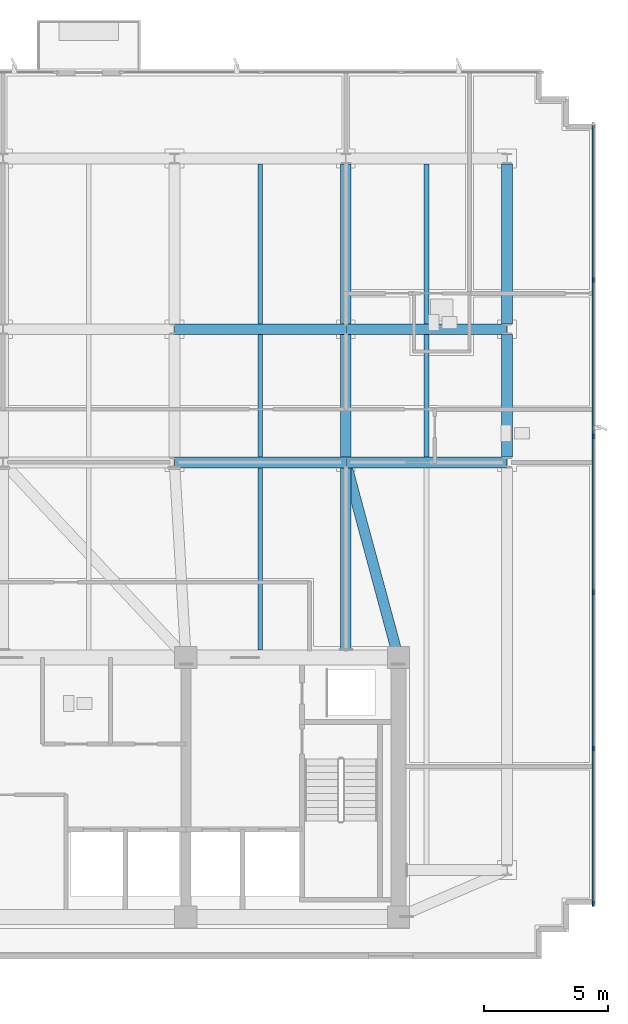
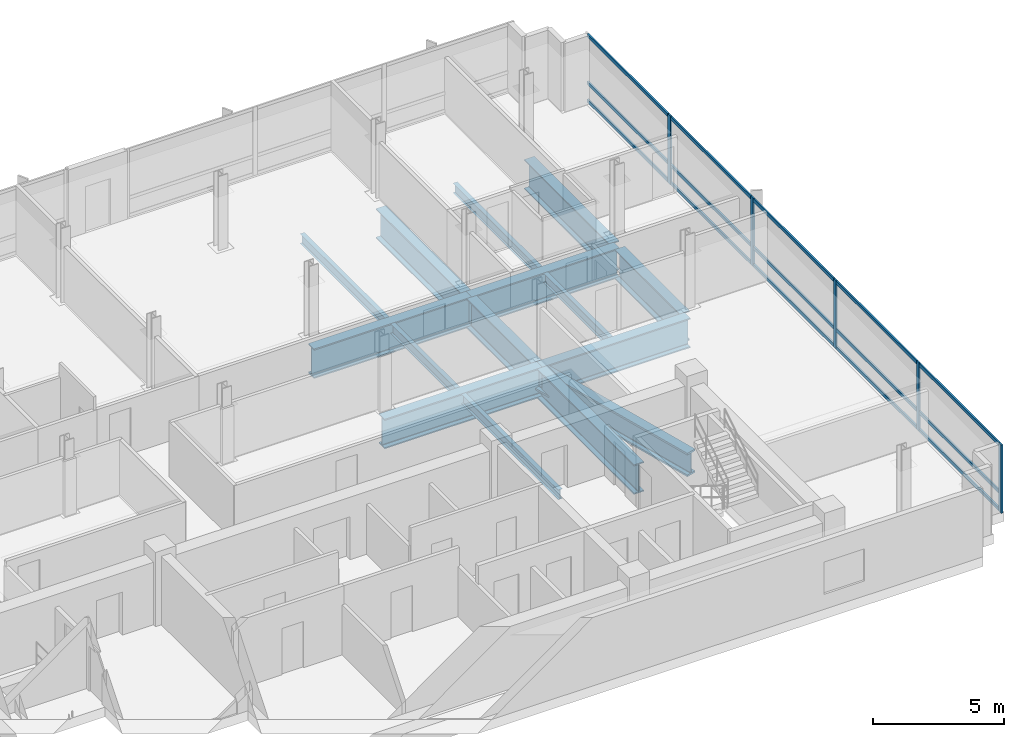
# One storey, part 4 of 16: 20 members, 15 beams, 1 element without a shape of its own.
"""IFC4 building model written with IfcOpenShell, lengths in metres."""

from ifc_helpers import new_model, si_unit, direction, frame, origin, origin_2d, place, context, subcontext, project, spatial, rectangle, i_section, extrude, material, material_profile, profile_set, type_object, element, aggregate, save


model = new_model("IFC4")

# Units and contexts
model_context = context("Model", 3, precision=1e-05, world=origin(), true_north=direction((0.0, 1.0)))
body_context = subcontext(model_context, "Body", "Model", "MODEL_VIEW")
ifc_project = project(units=[si_unit("LENGTHUNIT", "METRE"), si_unit("AREAUNIT", "SQUARE_METRE"), si_unit("VOLUMEUNIT", "CUBIC_METRE"), si_unit("PLANEANGLEUNIT", "RADIAN"), si_unit("MASSUNIT", "GRAM", prefix="KILO")], contexts=[model_context])

# Site, building, storey
site_placement = place(None, origin())
site = spatial("IfcSite", under=ifc_project, at=site_placement, CompositionType="ELEMENT")
building_placement = place(site_placement, origin())
building = spatial("IfcBuilding", under=site, at=building_placement, Name="Solmavex Isthmus Hotel", CompositionType="ELEMENT")
storey_placement = place(building_placement, frame((0.0, 0.0, 245.39990234375)))
storey = spatial("IfcBuildingStorey", under=building, at=storey_placement, Name="L66", CompositionType="ELEMENT", Elevation=245.39990234375)

# Beams
ifc_material_1 = material(Name="Steel ASTM A992 Grade 50", Category="steel")
ifc_material_profile_1 = material_profile(ifc_material_1, i_section(OverallWidth=0.1904296875, OverallDepth=0.456787109375, WebThickness=0.009033203125, FlangeThickness=0.014404296875, FilletRadius=0.0126953125, at=origin_2d()), Name="W18X50")
ifc_profile_set_1 = profile_set([ifc_material_profile_1], Name="Steel ASTM A992 Grade 50")
beam_type_1 = type_object("IfcBeamType", Name="BM-BJ-W18X50", PredefinedType="JOIST", material=ifc_profile_set_1)
beam_1_placement = place(storey_placement, frame((10.404052734375, -2.199951171875, -0.678466796875), z_axis=(0.0, 1.0, 0.0), x_axis=(-1.0, 0.0, 0.0)))
element("IfcBeam", 1, at=beam_1_placement, inside=storey, type_object=beam_type_1, Name="Secondary Floor Joist L66-J13", PredefinedType="JOIST", context=body_context, shape_type="SweptSolid", body=[
    extrude(i_section(OverallWidth=0.1904296875, OverallDepth=0.456787109375, WebThickness=0.009033203125, FlangeThickness=0.014404296875, FilletRadius=0.0126953125, at=origin_2d()), origin(), (0.0, 0.0, 1.0), 7.3798828125),
])
beam_2_placement = place(storey_placement, frame((10.404052734375, 5.6201171875, -0.678466796875), z_axis=(0.0, 1.0, 0.0), x_axis=(-1.0, 0.0, 0.0)))
element("IfcBeam", 2, at=beam_2_placement, inside=storey, type_object=beam_type_1, Name="Secondary Floor Joist L66-J14", PredefinedType="JOIST", context=body_context, shape_type="SweptSolid", body=[
    extrude(i_section(OverallWidth=0.1904296875, OverallDepth=0.456787109375, WebThickness=0.009033203125, FlangeThickness=0.014404296875, FilletRadius=0.0126953125, at=origin_2d()), origin(), (0.0, 0.0, 1.0), 4.947998046875),
])
beam_3_placement = place(storey_placement, frame((10.404052734375, 11.008056640625, -0.678466796875), z_axis=(0.0, 1.0, 0.0), x_axis=(-1.0, 0.0, 0.0)))
element("IfcBeam", 3, at=beam_3_placement, inside=storey, type_object=beam_type_1, Name="Secondary Floor Joist L66-J15", PredefinedType="JOIST", context=body_context, shape_type="SweptSolid", body=[
    extrude(i_section(OverallWidth=0.1904296875, OverallDepth=0.456787109375, WebThickness=0.009033203125, FlangeThickness=0.014404296875, FilletRadius=0.0126953125, at=origin_2d()), origin(), (0.0, 0.0, 1.0), 6.471923828125),
])
beam_4_placement = place(storey_placement, frame((17.135986328125, 5.6201171875, -0.678466796875), z_axis=(0.0, 1.0, 0.0), x_axis=(-1.0, 0.0, 0.0)))
element("IfcBeam", 4, at=beam_4_placement, inside=storey, type_object=beam_type_1, Name="Secondary Floor Joist L66-J17", PredefinedType="JOIST", context=body_context, shape_type="SweptSolid", body=[
    extrude(i_section(OverallWidth=0.1904296875, OverallDepth=0.456787109375, WebThickness=0.009033203125, FlangeThickness=0.014404296875, FilletRadius=0.0126953125, at=origin_2d()), origin(), (0.0, 0.0, 1.0), 4.947998046875),
])
beam_5_placement = place(storey_placement, frame((17.135986328125, 11.008056640625, -0.678466796875), z_axis=(0.0, 1.0, 0.0), x_axis=(-1.0, 0.0, 0.0)))
element("IfcBeam", 5, at=beam_5_placement, inside=storey, type_object=beam_type_1, Name="Secondary Floor Joist L66-J18", PredefinedType="JOIST", context=body_context, shape_type="SweptSolid", body=[
    extrude(i_section(OverallWidth=0.1904296875, OverallDepth=0.456787109375, WebThickness=0.009033203125, FlangeThickness=0.014404296875, FilletRadius=0.0126953125, at=origin_2d()), origin(), (0.0, 0.0, 1.0), 6.471923828125),
])
ifc_material_2 = material(Name="Steel ASTM A913 Grade 65", Category="steel")
ifc_material_profile_2 = material_profile(ifc_material_2, i_section(OverallWidth=0.42431640625, OverallDepth=1.09228515625, WebThickness=0.04541015625, FlangeThickness=0.08203125, FilletRadius=0.030517578125, at=origin_2d()), Name="W40X593")
ifc_profile_set_2 = profile_set([ifc_material_profile_2], Name="Steel ASTM A913 Grade 65")
beam_type_2 = type_object("IfcBeamType", Name="BM-TB-W40X397", PredefinedType="BEAM", material=ifc_profile_set_2)
beam_6_placement = place(storey_placement, frame((16.0, -2.5, -0.99609375), z_axis=(-0.260091187773, 0.965584058507, 0.0), x_axis=(-0.965584058507, -0.260091187773, 0.0)))
element("IfcBeam", 6, at=beam_6_placement, inside=storey, type_object=beam_type_2, Name="Core Outrigger Strut L65-OTNE", PredefinedType="BEAM", context=body_context, shape_type="SweptSolid", body=[
    extrude(i_section(OverallWidth=0.42431640625, OverallDepth=1.09228515625, WebThickness=0.04541015625, FlangeThickness=0.08203125, FilletRadius=0.030517578125, at=origin_2d()), origin(), (0.0, 0.0, 1.0), 8.181396484375),
])
ifc_material_3 = material(Name="Steel ASTM A572 Grade 50", Category="steel")
ifc_material_profile_3 = material_profile(ifc_material_3, i_section(OverallWidth=0.43994140625, OverallDepth=1.3798828125, WebThickness=0.030029296875, FlangeThickness=0.054931640625, FilletRadius=0.030517578125, at=origin_2d()), Name="I1380X440")
ifc_profile_set_3 = profile_set([ifc_material_profile_3], Name="Steel ASTM A572 Grade 50")
beam_type_3 = type_object("IfcBeamType", Name="BM-TG-I1380", PredefinedType="BEAM", material=ifc_profile_set_3)
beam_7_placement = place(storey_placement, frame((6.93603515625, 5.39990234375, -1.139892578125), z_axis=(1.0, 0.0, 0.0), x_axis=(0.0, 1.0, 0.0)))
element("IfcBeam", 7, at=beam_7_placement, inside=storey, type_object=beam_type_3, Name="Outrigger Collector Girder L66-UG07", PredefinedType="BEAM", context=body_context, shape_type="SweptSolid", body=[
    extrude(i_section(OverallWidth=0.43994140625, OverallDepth=1.3798828125, WebThickness=0.030029296875, FlangeThickness=0.054931640625, FilletRadius=0.030517578125, at=origin_2d()), origin(), (0.0, 0.0, 1.0), 6.93603515625),
])
beam_8_placement = place(storey_placement, frame((13.8720703125, 5.39990234375, -1.139892578125), z_axis=(1.0, 0.0, 0.0), x_axis=(0.0, 1.0, 0.0)))
element("IfcBeam", 8, at=beam_8_placement, inside=storey, type_object=beam_type_3, Name="Outrigger Collector Girder L66-UG08", PredefinedType="BEAM", context=body_context, shape_type="SweptSolid", body=[
    extrude(i_section(OverallWidth=0.43994140625, OverallDepth=1.3798828125, WebThickness=0.030029296875, FlangeThickness=0.054931640625, FilletRadius=0.030517578125, at=origin_2d()), origin(), (0.0, 0.0, 1.0), 6.52783203125),
])
beam_9_placement = place(storey_placement, frame((6.93603515625, 10.7880859375, -1.139892578125), z_axis=(1.0, 0.0, 0.0), x_axis=(0.0, 1.0, 0.0)))
element("IfcBeam", 9, at=beam_9_placement, inside=storey, type_object=beam_type_3, Name="Outrigger Collector Girder L66-UG13", PredefinedType="BEAM", context=body_context, shape_type="SweptSolid", body=[
    extrude(i_section(OverallWidth=0.43994140625, OverallDepth=1.3798828125, WebThickness=0.030029296875, FlangeThickness=0.054931640625, FilletRadius=0.030517578125, at=origin_2d()), origin(), (0.0, 0.0, 1.0), 6.93603515625),
])
beam_10_placement = place(storey_placement, frame((13.8720703125, 10.7880859375, -1.139892578125), z_axis=(1.0, 0.0, 0.0), x_axis=(0.0, 1.0, 0.0)))
element("IfcBeam", 10, at=beam_10_placement, inside=storey, type_object=beam_type_3, Name="Outrigger Collector Girder L66-UG14", PredefinedType="BEAM", context=body_context, shape_type="SweptSolid", body=[
    extrude(i_section(OverallWidth=0.43994140625, OverallDepth=1.3798828125, WebThickness=0.030029296875, FlangeThickness=0.054931640625, FilletRadius=0.030517578125, at=origin_2d()), origin(), (0.0, 0.0, 1.0), 6.52783203125),
])
beam_11_placement = place(storey_placement, frame((13.8720703125, -2.199951171875, -1.139892578125), z_axis=(0.0, 1.0, 0.0), x_axis=(-1.0, 0.0, 0.0)))
element("IfcBeam", 11, at=beam_11_placement, inside=storey, type_object=beam_type_3, Name="Outrigger Collector Beam L66-VG34", PredefinedType="BEAM", context=body_context, shape_type="SweptSolid", body=[
    extrude(i_section(OverallWidth=0.43994140625, OverallDepth=1.3798828125, WebThickness=0.030029296875, FlangeThickness=0.054931640625, FilletRadius=0.030517578125, at=origin_2d()), origin(), (0.0, 0.0, 1.0), 7.3798828125),
])
beam_12_placement = place(storey_placement, frame((13.8720703125, 5.6201171875, -1.139892578125), z_axis=(0.0, 1.0, 0.0), x_axis=(-1.0, 0.0, 0.0)))
element("IfcBeam", 12, at=beam_12_placement, inside=storey, type_object=beam_type_3, Name="Outrigger Collector Beam L66-VG35", PredefinedType="BEAM", context=body_context, shape_type="SweptSolid", body=[
    extrude(i_section(OverallWidth=0.43994140625, OverallDepth=1.3798828125, WebThickness=0.030029296875, FlangeThickness=0.054931640625, FilletRadius=0.030517578125, at=origin_2d()), origin(), (0.0, 0.0, 1.0), 4.947998046875),
])
beam_13_placement = place(storey_placement, frame((13.8720703125, 11.008056640625, -1.139892578125), z_axis=(0.0, 1.0, 0.0), x_axis=(-1.0, 0.0, 0.0)))
element("IfcBeam", 13, at=beam_13_placement, inside=storey, type_object=beam_type_3, Name="Outrigger Collector Beam L66-VG36", PredefinedType="BEAM", context=body_context, shape_type="SweptSolid", body=[
    extrude(i_section(OverallWidth=0.43994140625, OverallDepth=1.3798828125, WebThickness=0.030029296875, FlangeThickness=0.054931640625, FilletRadius=0.030517578125, at=origin_2d()), origin(), (0.0, 0.0, 1.0), 6.471923828125),
])
beam_14_placement = place(storey_placement, frame((20.39990234375, 5.6201171875, -1.139892578125), z_axis=(0.0, 1.0, 0.0), x_axis=(-1.0, 0.0, 0.0)))
element("IfcBeam", 14, at=beam_14_placement, inside=storey, type_object=beam_type_3, Name="Outrigger Collector Beam L66-VG38", PredefinedType="BEAM", context=body_context, shape_type="SweptSolid", body=[
    extrude(i_section(OverallWidth=0.43994140625, OverallDepth=1.3798828125, WebThickness=0.030029296875, FlangeThickness=0.054931640625, FilletRadius=0.030517578125, at=origin_2d()), origin(), (0.0, 0.0, 1.0), 4.947998046875),
])
beam_15_placement = place(storey_placement, frame((20.39990234375, 11.008056640625, -1.139892578125), z_axis=(0.0, 1.0, 0.0), x_axis=(-1.0, 0.0, 0.0)))
element("IfcBeam", 15, at=beam_15_placement, inside=storey, type_object=beam_type_3, Name="Outrigger Collector Beam L66-VG39", PredefinedType="BEAM", context=body_context, shape_type="SweptSolid", body=[
    extrude(i_section(OverallWidth=0.43994140625, OverallDepth=1.3798828125, WebThickness=0.030029296875, FlangeThickness=0.054931640625, FilletRadius=0.030517578125, at=origin_2d()), origin(), (0.0, 0.0, 1.0), 6.471923828125),
])

# Curtain wall, members
ifc_material_4 = material(Name="Aluminium alloy 6063-T6", Category="aluminium")
curtain_wall_type = type_object("IfcCurtainWallType", Name="CW-SYS-04", PredefinedType="NOTDEFINED", material=ifc_material_4)
curtain_wall_placement = place(storey_placement, origin())
curtain_wall = element("IfcCurtainWall", 16, at=curtain_wall_placement, inside=storey, type_object=curtain_wall_type, Name="Stick Curtain Wall CWL-L66-E1", PredefinedType="NOTDEFINED")
ifc_material_profile_4 = material_profile(ifc_material_4, rectangle(XDim=0.074951171875, YDim=0.199951171875, at=origin_2d()), Name="CWM-75X200")
ifc_profile_set_4 = profile_set([ifc_material_profile_4], Name="Aluminium alloy 6063-T6")
member_type_1 = type_object("IfcMemberType", Name="CW-SYS-04-MUL", PredefinedType="MULLION", material=ifc_profile_set_4)
member_1_placement = place(storey_placement, frame((23.8798828125, -12.46240234375, 0.0), z_axis=(0.0, 0.0, 1.0), x_axis=(-1.0, 0.0, 0.0)))
member_1 = element("IfcMember", 17, at=member_1_placement, type_object=member_type_1, Name="CW-04 mullion 1", PredefinedType="MULLION", context=body_context, shape_type="SweptSolid", body=[
    extrude(rectangle(XDim=0.074951171875, YDim=0.199951171875, at=origin_2d()), origin(), (0.0, 0.0, 1.0), 3.190185546875),
])
member_2_placement = place(storey_placement, frame((23.8798828125, -6.179931640625, 0.0), z_axis=(0.0, 0.0, 1.0), x_axis=(-1.0, 0.0, 0.0)))
member_2 = element("IfcMember", 18, at=member_2_placement, type_object=member_type_1, Name="CW-04 mullion 2", PredefinedType="MULLION", context=body_context, shape_type="SweptSolid", body=[
    extrude(rectangle(XDim=0.074951171875, YDim=0.199951171875, at=origin_2d()), origin(), (0.0, 0.0, 1.0), 3.190185546875),
])
member_3_placement = place(storey_placement, frame((23.8798828125, 0.139892578125, 0.0), z_axis=(0.0, 0.0, 1.0), x_axis=(-1.0, 0.0, 0.0)))
member_3 = element("IfcMember", 19, at=member_3_placement, type_object=member_type_1, Name="CW-04 mullion 3", PredefinedType="MULLION", context=body_context, shape_type="SweptSolid", body=[
    extrude(rectangle(XDim=0.074951171875, YDim=0.199951171875, at=origin_2d()), origin(), (0.0, 0.0, 1.0), 3.190185546875),
])
member_4_placement = place(storey_placement, frame((23.8798828125, 6.4599609375, 0.0), z_axis=(0.0, 0.0, 1.0), x_axis=(-1.0, 0.0, 0.0)))
member_4 = element("IfcMember", 20, at=member_4_placement, type_object=member_type_1, Name="CW-04 mullion 4", PredefinedType="MULLION", context=body_context, shape_type="SweptSolid", body=[
    extrude(rectangle(XDim=0.074951171875, YDim=0.199951171875, at=origin_2d()), origin(), (0.0, 0.0, 1.0), 3.190185546875),
])
member_5_placement = place(storey_placement, frame((23.8798828125, 12.780029296875, 0.0), z_axis=(0.0, 0.0, 1.0), x_axis=(-1.0, 0.0, 0.0)))
member_5 = element("IfcMember", 21, at=member_5_placement, type_object=member_type_1, Name="CW-04 mullion 5", PredefinedType="MULLION", context=body_context, shape_type="SweptSolid", body=[
    extrude(rectangle(XDim=0.074951171875, YDim=0.199951171875, at=origin_2d()), origin(), (0.0, 0.0, 1.0), 3.190185546875),
])
ifc_material_profile_5 = material_profile(ifc_material_4, rectangle(XDim=0.074951171875, YDim=0.14990234375, at=origin_2d()), Name="CWT-75X150")
ifc_profile_set_5 = profile_set([ifc_material_profile_5], Name="Aluminium alloy 6063-T6")
member_type_2 = type_object("IfcMemberType", Name="CW-SYS-04-TRN", PredefinedType="USERDEFINED", material=ifc_profile_set_5)
member_6_placement = place(storey_placement, frame((23.8798828125, -12.425048828125, 0.0751953125), z_axis=(0.0, 1.0, 0.0), x_axis=(-1.0, 0.0, 0.0)))
member_6 = element("IfcMember", 22, at=member_6_placement, type_object=member_type_2, Name="CW-04 transom 1.1", ObjectType="TRANSOM", PredefinedType="USERDEFINED", context=body_context, shape_type="SweptSolid", body=[
    extrude(rectangle(XDim=0.074951171875, YDim=0.14990234375, at=origin_2d()), origin(), (0.0, 0.0, 1.0), 6.20751953125),
])
member_7_placement = place(storey_placement, frame((23.8798828125, -12.425048828125, 0.900146484375), z_axis=(0.0, 1.0, 0.0), x_axis=(-1.0, 0.0, 0.0)))
member_7 = element("IfcMember", 23, at=member_7_placement, type_object=member_type_2, Name="CW-04 transom 1.2", ObjectType="TRANSOM", PredefinedType="USERDEFINED", context=body_context, shape_type="SweptSolid", body=[
    extrude(rectangle(XDim=0.074951171875, YDim=0.14990234375, at=origin_2d()), origin(), (0.0, 0.0, 1.0), 6.20751953125),
])
member_8_placement = place(storey_placement, frame((23.8798828125, -12.425048828125, 3.114990234375), z_axis=(0.0, 1.0, 0.0), x_axis=(-1.0, 0.0, 0.0)))
member_8 = element("IfcMember", 24, at=member_8_placement, type_object=member_type_2, Name="CW-04 transom 1.3", ObjectType="TRANSOM", PredefinedType="USERDEFINED", context=body_context, shape_type="SweptSolid", body=[
    extrude(rectangle(XDim=0.074951171875, YDim=0.14990234375, at=origin_2d()), origin(), (0.0, 0.0, 1.0), 6.20751953125),
])
member_9_placement = place(storey_placement, frame((23.8798828125, -6.142578125, 0.0751953125), z_axis=(0.0, 1.0, 0.0), x_axis=(-1.0, 0.0, 0.0)))
member_9 = element("IfcMember", 25, at=member_9_placement, type_object=member_type_2, Name="CW-04 transom 2.1", ObjectType="TRANSOM", PredefinedType="USERDEFINED", context=body_context, shape_type="SweptSolid", body=[
    extrude(rectangle(XDim=0.074951171875, YDim=0.14990234375, at=origin_2d()), origin(), (0.0, 0.0, 1.0), 6.2451171875),
])
member_10_placement = place(storey_placement, frame((23.8798828125, -6.142578125, 0.900146484375), z_axis=(0.0, 1.0, 0.0), x_axis=(-1.0, 0.0, 0.0)))
member_10 = element("IfcMember", 26, at=member_10_placement, type_object=member_type_2, Name="CW-04 transom 2.2", ObjectType="TRANSOM", PredefinedType="USERDEFINED", context=body_context, shape_type="SweptSolid", body=[
    extrude(rectangle(XDim=0.074951171875, YDim=0.14990234375, at=origin_2d()), origin(), (0.0, 0.0, 1.0), 6.2451171875),
])
member_11_placement = place(storey_placement, frame((23.8798828125, -6.142578125, 3.114990234375), z_axis=(0.0, 1.0, 0.0), x_axis=(-1.0, 0.0, 0.0)))
member_11 = element("IfcMember", 27, at=member_11_placement, type_object=member_type_2, Name="CW-04 transom 2.3", ObjectType="TRANSOM", PredefinedType="USERDEFINED", context=body_context, shape_type="SweptSolid", body=[
    extrude(rectangle(XDim=0.074951171875, YDim=0.14990234375, at=origin_2d()), origin(), (0.0, 0.0, 1.0), 6.2451171875),
])
member_12_placement = place(storey_placement, frame((23.8798828125, 0.177490234375, 0.0751953125), z_axis=(0.0, 1.0, 0.0), x_axis=(-1.0, 0.0, 0.0)))
member_12 = element("IfcMember", 28, at=member_12_placement, type_object=member_type_2, Name="CW-04 transom 3.1", ObjectType="TRANSOM", PredefinedType="USERDEFINED", context=body_context, shape_type="SweptSolid", body=[
    extrude(rectangle(XDim=0.074951171875, YDim=0.14990234375, at=origin_2d()), origin(), (0.0, 0.0, 1.0), 6.2451171875),
])
member_13_placement = place(storey_placement, frame((23.8798828125, 0.177490234375, 0.900146484375), z_axis=(0.0, 1.0, 0.0), x_axis=(-1.0, 0.0, 0.0)))
member_13 = element("IfcMember", 29, at=member_13_placement, type_object=member_type_2, Name="CW-04 transom 3.2", ObjectType="TRANSOM", PredefinedType="USERDEFINED", context=body_context, shape_type="SweptSolid", body=[
    extrude(rectangle(XDim=0.074951171875, YDim=0.14990234375, at=origin_2d()), origin(), (0.0, 0.0, 1.0), 6.2451171875),
])
member_14_placement = place(storey_placement, frame((23.8798828125, 0.177490234375, 3.114990234375), z_axis=(0.0, 1.0, 0.0), x_axis=(-1.0, 0.0, 0.0)))
member_14 = element("IfcMember", 30, at=member_14_placement, type_object=member_type_2, Name="CW-04 transom 3.3", ObjectType="TRANSOM", PredefinedType="USERDEFINED", context=body_context, shape_type="SweptSolid", body=[
    extrude(rectangle(XDim=0.074951171875, YDim=0.14990234375, at=origin_2d()), origin(), (0.0, 0.0, 1.0), 6.2451171875),
])
member_15_placement = place(storey_placement, frame((23.8798828125, 6.49755859375, 0.0751953125), z_axis=(0.0, 1.0, 0.0), x_axis=(-1.0, 0.0, 0.0)))
member_15 = element("IfcMember", 31, at=member_15_placement, type_object=member_type_2, Name="CW-04 transom 4.1", ObjectType="TRANSOM", PredefinedType="USERDEFINED", context=body_context, shape_type="SweptSolid", body=[
    extrude(rectangle(XDim=0.074951171875, YDim=0.14990234375, at=origin_2d()), origin(), (0.0, 0.0, 1.0), 6.244873046875),
])
member_16_placement = place(storey_placement, frame((23.8798828125, 6.49755859375, 0.900146484375), z_axis=(0.0, 1.0, 0.0), x_axis=(-1.0, 0.0, 0.0)))
member_16 = element("IfcMember", 32, at=member_16_placement, type_object=member_type_2, Name="CW-04 transom 4.2", ObjectType="TRANSOM", PredefinedType="USERDEFINED", context=body_context, shape_type="SweptSolid", body=[
    extrude(rectangle(XDim=0.074951171875, YDim=0.14990234375, at=origin_2d()), origin(), (0.0, 0.0, 1.0), 6.244873046875),
])
member_17_placement = place(storey_placement, frame((23.8798828125, 6.49755859375, 3.114990234375), z_axis=(0.0, 1.0, 0.0), x_axis=(-1.0, 0.0, 0.0)))
member_17 = element("IfcMember", 33, at=member_17_placement, type_object=member_type_2, Name="CW-04 transom 4.3", ObjectType="TRANSOM", PredefinedType="USERDEFINED", context=body_context, shape_type="SweptSolid", body=[
    extrude(rectangle(XDim=0.074951171875, YDim=0.14990234375, at=origin_2d()), origin(), (0.0, 0.0, 1.0), 6.244873046875),
])
member_18_placement = place(storey_placement, frame((23.8798828125, 12.8173828125, 0.0751953125), z_axis=(0.0, 1.0, 0.0), x_axis=(-1.0, 0.0, 0.0)))
member_18 = element("IfcMember", 34, at=member_18_placement, type_object=member_type_2, Name="CW-04 transom 5.1", ObjectType="TRANSOM", PredefinedType="USERDEFINED", context=body_context, shape_type="SweptSolid", body=[
    extrude(rectangle(XDim=0.074951171875, YDim=0.14990234375, at=origin_2d()), origin(), (0.0, 0.0, 1.0), 6.20751953125),
])
member_19_placement = place(storey_placement, frame((23.8798828125, 12.8173828125, 0.900146484375), z_axis=(0.0, 1.0, 0.0), x_axis=(-1.0, 0.0, 0.0)))
member_19 = element("IfcMember", 35, at=member_19_placement, type_object=member_type_2, Name="CW-04 transom 5.2", ObjectType="TRANSOM", PredefinedType="USERDEFINED", context=body_context, shape_type="SweptSolid", body=[
    extrude(rectangle(XDim=0.074951171875, YDim=0.14990234375, at=origin_2d()), origin(), (0.0, 0.0, 1.0), 6.20751953125),
])
member_20_placement = place(storey_placement, frame((23.8798828125, 12.8173828125, 3.114990234375), z_axis=(0.0, 1.0, 0.0), x_axis=(-1.0, 0.0, 0.0)))
member_20 = element("IfcMember", 36, at=member_20_placement, type_object=member_type_2, Name="CW-04 transom 5.3", ObjectType="TRANSOM", PredefinedType="USERDEFINED", context=body_context, shape_type="SweptSolid", body=[
    extrude(rectangle(XDim=0.074951171875, YDim=0.14990234375, at=origin_2d()), origin(), (0.0, 0.0, 1.0), 6.20751953125),
])
aggregate(curtain_wall, [member_1, member_2, member_3, member_4, member_5, member_6, member_7, member_8, member_9, member_10, member_11, member_12, member_13, member_14, member_15, member_16, member_17, member_18, member_19, member_20])

save(model, "model.ifc")
